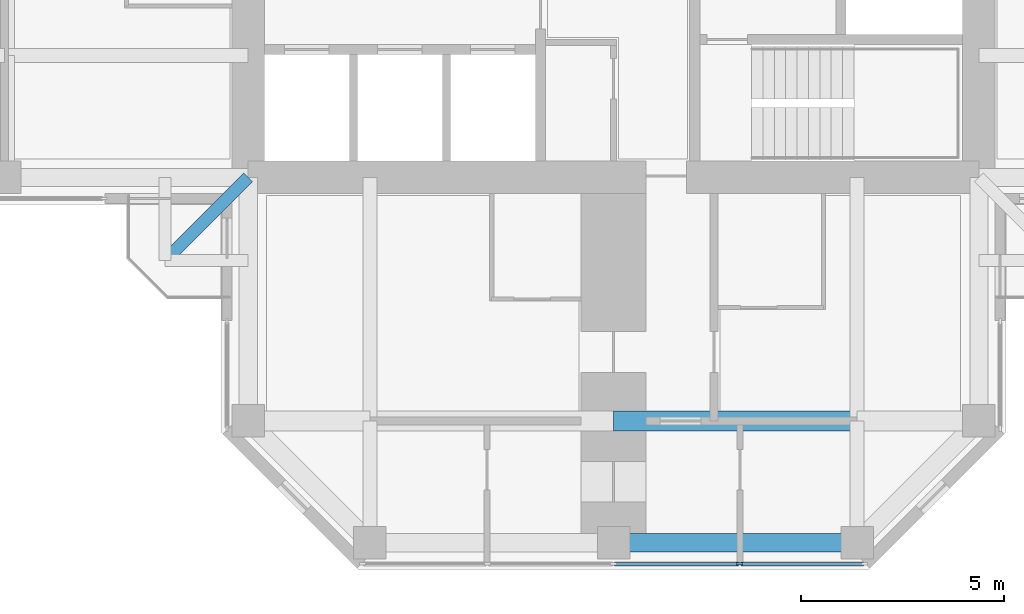
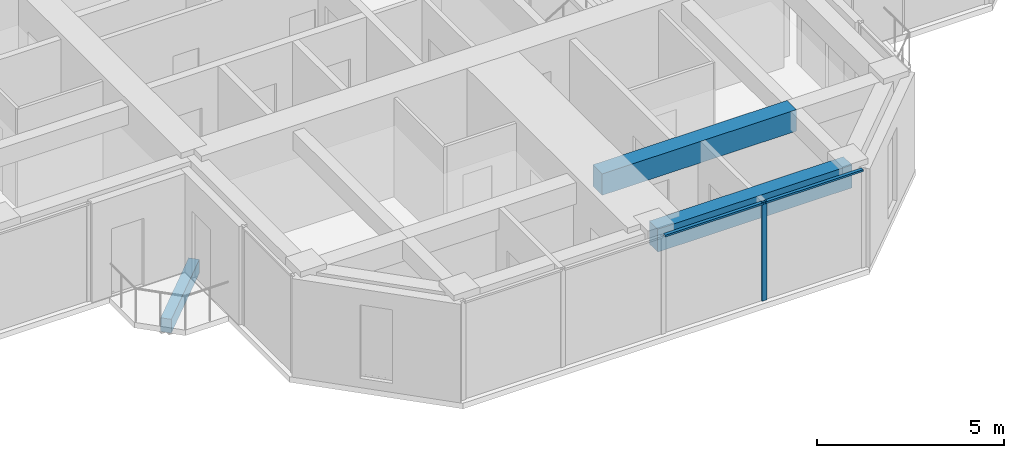
# One storey, part 3 of 14: 3 beams, 3 members, 1 element without a shape of its own.
"""IFC4 building model written with IfcOpenShell, lengths in metres."""

from ifc_helpers import new_model, si_unit, direction, frame, origin, origin_2d, place, context, subcontext, project, spatial, rectangle, extrude, material, material_profile, profile_set, type_object, element, aggregate, save


model = new_model("IFC4")

# Units and contexts
model_context = context("Model", 3, precision=1e-05, world=origin(), true_north=direction((0.0, 1.0)))
body_context = subcontext(model_context, "Body", "Model", "MODEL_VIEW")
ifc_project = project(units=[si_unit("LENGTHUNIT", "METRE"), si_unit("AREAUNIT", "SQUARE_METRE"), si_unit("VOLUMEUNIT", "CUBIC_METRE"), si_unit("PLANEANGLEUNIT", "RADIAN"), si_unit("MASSUNIT", "GRAM", prefix="KILO")], contexts=[model_context])

# Site, building, storey
site_placement = place(None, origin())
site = spatial("IfcSite", under=ifc_project, at=site_placement, CompositionType="ELEMENT")
building_placement = place(site_placement, origin())
building = spatial("IfcBuilding", under=site, at=building_placement, Name="Torre Cruceta", CompositionType="ELEMENT")
storey_placement = place(building_placement, frame((0.0, 0.0, 225.5)))
storey = spatial("IfcBuildingStorey", under=building, at=storey_placement, Name="L57", CompositionType="ELEMENT", Elevation=225.5)

# Beams
ifc_material_1 = material(Name="Concrete G60 (fck 60 MPa)", Category="concrete")
ifc_material_profile_1 = material_profile(ifc_material_1, rectangle(XDim=0.300048828125, YDim=0.449951171875, at=origin_2d()), Name="RC 300X450")
ifc_profile_set_1 = profile_set([ifc_material_profile_1], Name="Concrete G60 (fck 60 MPa)")
beam_type_1 = type_object("IfcBeamType", Name="BALCONY CANTILEVER BEAM RC 300X450", PredefinedType="BEAM", material=ifc_profile_set_1)
beam_1_placement = place(storey_placement, frame((-9.0, -9.0, -0.405029296875), z_axis=(-0.707106781187, -0.707106781187, 0.0), x_axis=(0.707106781187, -0.707106781187, 0.0)))
element("IfcBeam", 1, at=beam_1_placement, inside=storey, type_object=beam_type_1, Name="BB1 balcony beam L57 W", PredefinedType="BEAM", context=body_context, shape_type="SweptSolid", body=[
    extrude(rectangle(XDim=0.300048828125, YDim=0.449951171875, at=origin_2d()), origin(), (0.0, 0.0, 1.0), 2.89990234375),
])
ifc_material_2 = material(Name="Concrete G60 (fck 60 MPa)", Category="concrete")
ifc_material_profile_2 = material_profile(ifc_material_2, rectangle(XDim=0.5, YDim=0.699951171875, at=origin_2d()), Name="RC 500X700")
ifc_profile_set_2 = profile_set([ifc_material_profile_2], Name="Concrete G60 (fck 60 MPa)")
beam_type_2 = type_object("IfcBeamType", Name="CROSS BEAM RC 500X700", PredefinedType="BEAM", material=ifc_profile_set_2)
beam_2_placement = place(storey_placement, frame((0.0, -15.0, 2.8701171875), z_axis=(1.0, 0.0, 0.0), x_axis=(0.0, 1.0, 0.0)))
element("IfcBeam", 2, at=beam_2_placement, inside=storey, type_object=beam_type_2, Name="GB7 L57 S cross15 3", PredefinedType="BEAM", context=body_context, shape_type="SweptSolid", body=[
    extrude(rectangle(XDim=0.5, YDim=0.699951171875, at=origin_2d()), origin(), (0.0, 0.0, 1.0), 6.0),
])

# Curtain wall, members
ifc_material_3 = material(Name="Aluminium unitised curtain wall", Category="aluminium")
curtain_wall_type = type_object("IfcCurtainWallType", Name="CURTAIN WALL CW-D CO-LIVING UPPER", PredefinedType="USERDEFINED", material=ifc_material_3)
curtain_wall_placement = place(storey_placement, origin())
curtain_wall = element("IfcCurtainWall", 3, at=curtain_wall_placement, inside=storey, type_object=curtain_wall_type, Name="CW-D L57 S tip 17", ObjectType="UNITISED", PredefinedType="USERDEFINED")
ifc_material_4 = material(Name="Aluminium mullion", Category="aluminium")
ifc_material_profile_3 = material_profile(ifc_material_4, rectangle(XDim=0.06005859375, YDim=0.14990234375, at=origin_2d()), Name="AL 60X150")
ifc_profile_set_3 = profile_set([ifc_material_profile_3], Name="Aluminium mullion")
member_type_1 = type_object("IfcMemberType", Name="CW-D MULLION 60X150", PredefinedType="MULLION", material=ifc_profile_set_3)
member_1_placement = place(storey_placement, frame((3.107666015625, -18.52001953125, 0.0), z_axis=(0.0, 0.0, 1.0), x_axis=(0.0, 1.0, 0.0)))
member_1 = element("IfcMember", 4, at=member_1_placement, type_object=member_type_1, Name="CW-D mullion 4", PredefinedType="MULLION", context=body_context, shape_type="SweptSolid", body=[
    extrude(rectangle(XDim=0.06005859375, YDim=0.14990234375, at=origin_2d()), origin(), (0.0, 0.0, 1.0), 3.219970703125),
])
ifc_material_5 = material(Name="Aluminium transom", Category="aluminium")
ifc_material_profile_4 = material_profile(ifc_material_5, rectangle(XDim=0.10009765625, YDim=0.06005859375, at=origin_2d()), Name="AL 100X60")
ifc_profile_set_4 = profile_set([ifc_material_profile_4], Name="Aluminium transom")
member_type_2 = type_object("IfcMemberType", Name="CW-D TRANSOM 60X100", PredefinedType="USERDEFINED", material=ifc_profile_set_4)
member_2_placement = place(storey_placement, frame((0.030029296875, -18.52001953125, 3.18994140625), z_axis=(1.0, 0.0, 0.0), x_axis=(0.0, 1.0, 0.0)))
member_2 = element("IfcMember", 5, at=member_2_placement, type_object=member_type_2, Name="CW-D transom 3", ObjectType="TRANSOM", PredefinedType="USERDEFINED", context=body_context, shape_type="SweptSolid", body=[
    extrude(rectangle(XDim=0.10009765625, YDim=0.06005859375, at=origin_2d()), origin(), (0.0, 0.0, 1.0), 3.047607421875),
])
member_3_placement = place(storey_placement, frame((3.1376953125, -18.52001953125, 3.18994140625), z_axis=(1.0, 0.0, 0.0), x_axis=(0.0, 1.0, 0.0)))
member_3 = element("IfcMember", 6, at=member_3_placement, type_object=member_type_2, Name="CW-D transom 4", ObjectType="TRANSOM", PredefinedType="USERDEFINED", context=body_context, shape_type="SweptSolid", body=[
    extrude(rectangle(XDim=0.10009765625, YDim=0.06005859375, at=origin_2d()), origin(), (0.0, 0.0, 1.0), 3.017578125),
])
aggregate(curtain_wall, [member_1, member_2, member_3])

# Beam
ifc_material_6 = material(Name="Concrete G60 (fck 60 MPa)", Category="concrete")
ifc_material_profile_5 = material_profile(ifc_material_6, rectangle(XDim=0.449951171875, YDim=0.75, at=origin_2d()), Name="RC 450X750")
ifc_profile_set_5 = profile_set([ifc_material_profile_5], Name="Concrete G60 (fck 60 MPa)")
beam_type_3 = type_object("IfcBeamType", Name="SPANDREL BEAM RC 450X750", PredefinedType="SPANDREL", material=ifc_profile_set_5)
beam_3_placement = place(storey_placement, frame((0.0, -18.0, 2.844970703125), z_axis=(1.0, 0.0, 0.0), x_axis=(0.0, 1.0, 0.0)))
element("IfcBeam", 7, at=beam_3_placement, inside=storey, type_object=beam_type_3, Name="SB7 L57 S tip 2", PredefinedType="SPANDREL", context=body_context, shape_type="SweptSolid", body=[
    extrude(rectangle(XDim=0.449951171875, YDim=0.75, at=origin_2d()), origin(), (0.0, 0.0, 1.0), 6.0),
])

save(model, "model.ifc")
